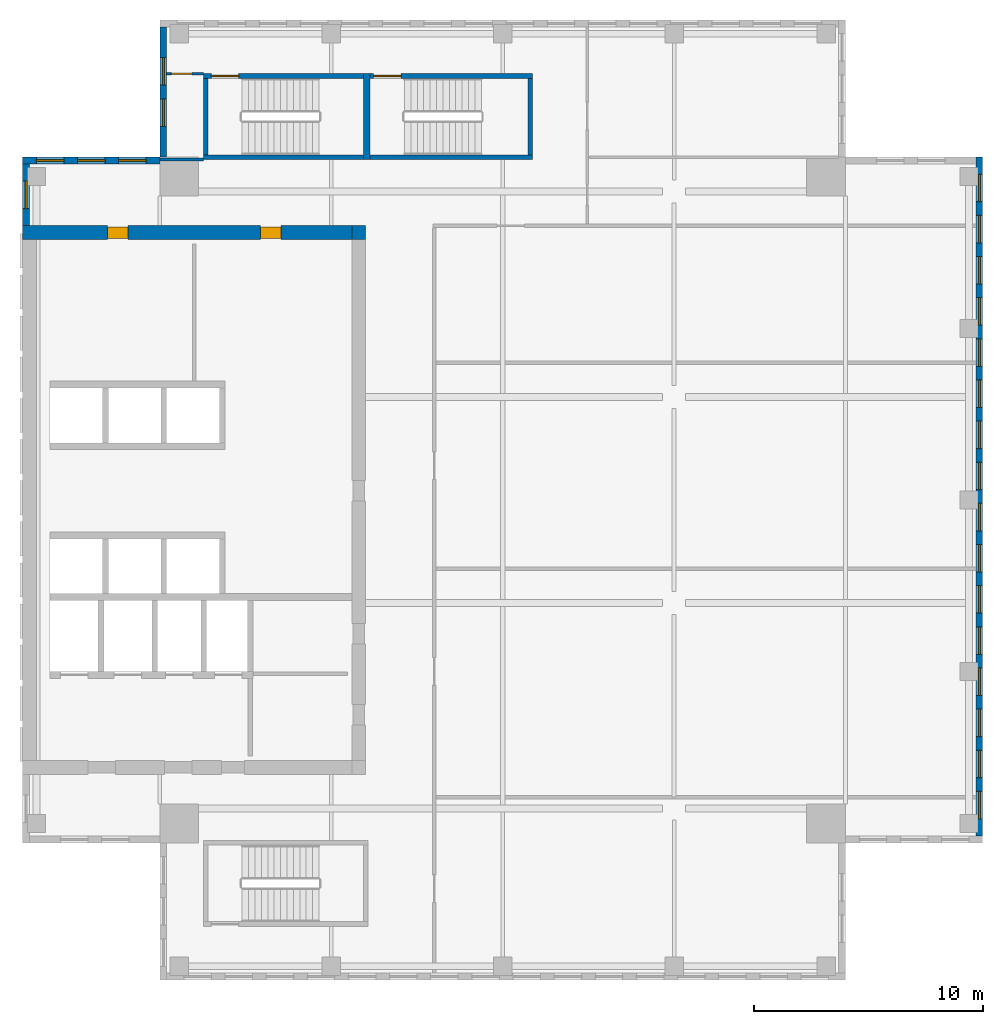
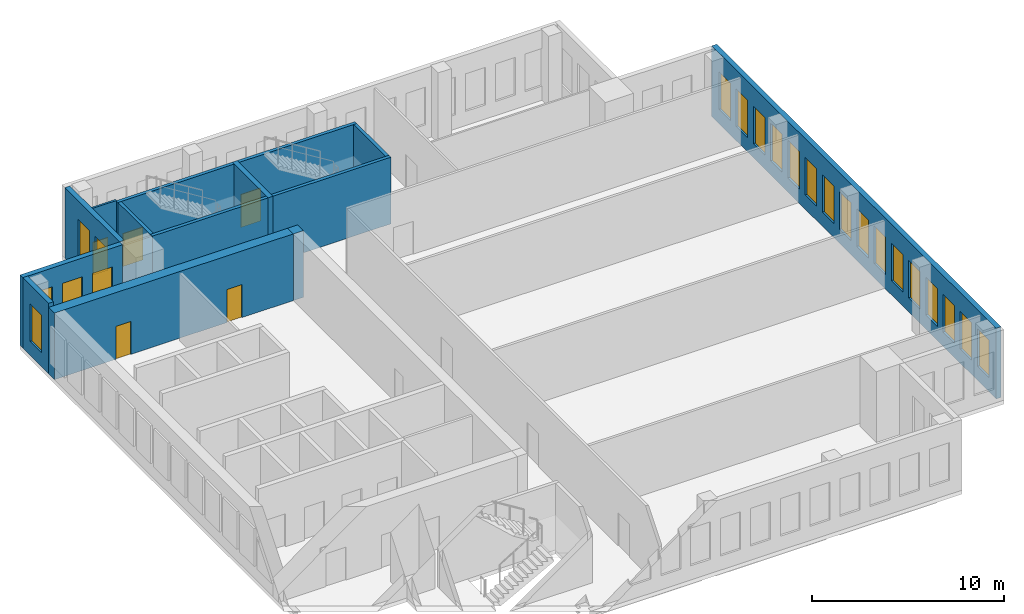
# One storey, part 4 of 6: 22 windows, 15 walls, 5 doors, 27 openings.
"""IFC4 building model written with IfcOpenShell, lengths in metres."""

from ifc_helpers import new_model, si_unit, direction, frame, frame_2d, origin, place, context, subcontext, project, spatial, rectangle, extrude, source, transform, mapped, material, layer, layer_set, type_object, element, fill, save


model = new_model("IFC4")

# Units and contexts
model_context = context("Model", 3, precision=1e-05, world=origin(), true_north=direction((0.0, 1.0)))
body_context = subcontext(model_context, "Body", "Model", "MODEL_VIEW")
ifc_project = project(units=[si_unit("LENGTHUNIT", "METRE"), si_unit("AREAUNIT", "SQUARE_METRE"), si_unit("VOLUMEUNIT", "CUBIC_METRE"), si_unit("PLANEANGLEUNIT", "RADIAN"), si_unit("MASSUNIT", "GRAM", prefix="KILO")], contexts=[model_context])

# Site, building, storey
site_placement = place(None, origin())
site = spatial("IfcSite", under=ifc_project, at=site_placement, CompositionType="ELEMENT")
building_placement = place(site_placement, origin())
building = spatial("IfcBuilding", under=site, at=building_placement, Name="Khomas Fold Tower", CompositionType="ELEMENT")
storey_placement = place(building_placement, frame((0.0, 0.0, 330.199951171875)))
storey = spatial("IfcBuildingStorey", under=building, at=storey_placement, Name="C1", CompositionType="ELEMENT", Elevation=330.199951171875)

# Wall, openings, doors
ifc_material_1 = material(Name="Concrete C50/60", Category="concrete")
ifc_layer_1 = layer(ifc_material_1, 0.60009765625)
ifc_layer_set_1 = layer_set([ifc_layer_1], Name="Concrete C50/60")
wall_type_1 = type_object("IfcWallType", Name="Core wall 600", PredefinedType="SHEAR", material=ifc_layer_set_1)
shared_shape_1 = source(origin(), body_context, "Body", "SweptSolid", [
    extrude(rectangle(XDim=14.39990234375, YDim=0.60009765625, at=frame_2d((7.199951171875, 0.0))), origin(), (0.0, 0.0, 1.0), 4.25),
])
wall_1_placement = place(storey_placement, frame((6.0, 38.699951171875, 0.0), z_axis=(0.0, 0.0, 1.0), x_axis=(1.0, 0.0, 0.0)))
wall_1 = element("IfcWall", 1, at=wall_1_placement, inside=storey, type_object=wall_type_1, Name="Core wall CW-U-N-L63", PredefinedType="SHEAR", context=body_context, shape_type="MappedRepresentation", body=[
    mapped(shared_shape_1, transform((0.0, 0.0, 0.0))),
])
shared_shape_2 = source(origin(), body_context, "Body", "SweptSolid", [
    extrude(rectangle(XDim=0.89990234375, YDim=2.10009765625, at=frame_2d((0.449951171875, 1.050048828125))), frame((0.0, 0.31005859375, 0.0), z_axis=(0.0, -1.0, 0.0), x_axis=(1.0, 0.0, 0.0)), (0.0, 0.0, 1.0), 0.6201171875),
])
opening_1_placement = place(wall_1_placement, frame((3.699951171875, 0.0, 0.0)))
opening_1 = element("IfcOpeningElement", 2, at=opening_1_placement, cuts=wall_1, Name="Opening 0003", PredefinedType="OPENING", context=body_context, shape_type="MappedRepresentation", body=[
    mapped(shared_shape_2, transform((0.0, 0.0, 0.0))),
])
opening_2_placement = place(wall_1_placement, frame((10.39990234375, 0.0, 0.0)))
opening_2 = element("IfcOpeningElement", 3, at=opening_2_placement, cuts=wall_1, Name="Opening 0003", PredefinedType="OPENING", context=body_context, shape_type="MappedRepresentation", body=[
    mapped(shared_shape_2, transform((0.0, 0.0, 0.0))),
])
ifc_material_2 = material(Name="Steel door leaf", Category="steel")
door_type_1 = type_object("IfcDoorType", Name="Plant room door 900x2100 right-hand", OperationType="SINGLE_SWING_RIGHT", PredefinedType="DOOR", material=ifc_material_2)
shared_shape_3 = source(origin(), body_context, "Body", "SweptSolid", [
    extrude(rectangle(XDim=0.89990234375, YDim=2.10009765625, at=frame_2d((0.449951171875, 1.050048828125))), frame((0.0, 0.25, 0.0), z_axis=(0.0, -1.0, 0.0), x_axis=(1.0, 0.0, 0.0)), (0.0, 0.0, 1.0), 0.5),
])
door_1_placement = place(opening_1_placement, origin())
door_1 = element("IfcDoor", 4, at=door_1_placement, inside=storey, type_object=door_type_1, Name="Plant room door", OperationType="SINGLE_SWING_RIGHT", OverallHeight=2.10009765625, OverallWidth=0.89990234375, PredefinedType="DOOR", context=body_context, shape_type="MappedRepresentation", body=[
    mapped(shared_shape_3, transform((0.0, 0.0, 0.0))),
])
fill(opening_1, door_1)
door_2_placement = place(opening_2_placement, origin())
door_2 = element("IfcDoor", 5, at=door_2_placement, inside=storey, type_object=door_type_1, Name="Plant room door", OperationType="SINGLE_SWING_RIGHT", OverallHeight=2.10009765625, OverallWidth=0.89990234375, PredefinedType="DOOR", context=body_context, shape_type="MappedRepresentation", body=[
    mapped(shared_shape_3, transform((0.0, 0.0, 0.0))),
])
fill(opening_2, door_2)

# Wall
ifc_material_3 = material(Name="Concrete C50/60", Category="concrete")
ifc_layer_2 = layer(ifc_material_3, 0.60009765625)
ifc_layer_set_2 = layer_set([ifc_layer_2], Name="Concrete C50/60")
wall_type_2 = type_object("IfcWallType", Name="Core corner wall 600", PredefinedType="SHEAR", material=ifc_layer_set_2)
shared_shape_4 = source(origin(), body_context, "Body", "SweptSolid", [
    extrude(rectangle(XDim=0.60009765625, YDim=0.60009765625, at=frame_2d((0.300048828125, 0.0))), origin(), (0.0, 0.0, 1.0), 4.25),
])
wall_2_placement = place(storey_placement, frame((20.39990234375, 38.699951171875, 0.0), z_axis=(0.0, 0.0, 1.0), x_axis=(1.0, 0.0, 0.0)))
element("IfcWall", 6, at=wall_2_placement, inside=storey, type_object=wall_type_2, Name="Core wall CW-U-NE-L63", PredefinedType="SHEAR", context=body_context, shape_type="MappedRepresentation", body=[
    mapped(shared_shape_4, transform((0.0, 0.0, 0.0))),
])

# Wall, opening, door
ifc_material_4 = material(Name="Concrete C50/60", Category="concrete")
ifc_layer_3 = layer(ifc_material_4, 0.199951171875)
ifc_layer_set_3 = layer_set([ifc_layer_3], Name="Concrete C50/60")
wall_type_3 = type_object("IfcWallType", Name="Stair wall 200", PredefinedType="SHEAR", material=ifc_layer_set_3)
shared_shape_5 = source(origin(), body_context, "Body", "SweptSolid", [
    extrude(rectangle(XDim=7.0, YDim=0.199951171875, at=frame_2d((3.5, 0.0))), origin(), (0.0, 0.0, 1.0), 4.25),
])
wall_3_placement = place(storey_placement, frame((13.89990234375, 45.550048828125, 0.0), z_axis=(0.0, 0.0, 1.0), x_axis=(1.0, 0.0, 0.0)))
wall_3 = element("IfcWall", 7, at=wall_3_placement, inside=storey, type_object=wall_type_3, Name="Stair wall SW-ST1-N", PredefinedType="SHEAR", context=body_context, shape_type="MappedRepresentation", body=[
    mapped(shared_shape_5, transform((0.0, 0.0, 0.0))),
])
shared_shape_6 = source(origin(), body_context, "Body", "SweptSolid", [
    extrude(rectangle(XDim=1.199951171875, YDim=2.10009765625, at=frame_2d((0.60009765625, 1.050048828125))), frame((0.0, 0.10986328125, 0.0), z_axis=(0.0, -1.0, 0.0), x_axis=(1.0, 0.0, 0.0)), (0.0, 0.0, 1.0), 0.219970703125),
])
opening_3_placement = place(wall_3_placement, frame((0.35009765625, 0.0, 0.0)))
opening_3 = element("IfcOpeningElement", 8, at=opening_3_placement, cuts=wall_3, Name="Opening SD-ST1", PredefinedType="OPENING", context=body_context, shape_type="MappedRepresentation", body=[
    mapped(shared_shape_6, transform((0.0, 0.0, 0.0))),
])
ifc_material_5 = material(Name="Steel door leaf", Category="steel")
door_type_2 = type_object("IfcDoorType", Name="Stair door 1200x2100 left-hand", OperationType="SINGLE_SWING_LEFT", PredefinedType="DOOR", material=ifc_material_5)
shared_shape_7 = source(origin(), body_context, "Body", "SweptSolid", [
    extrude(rectangle(XDim=1.199951171875, YDim=2.10009765625, at=frame_2d((0.60009765625, 1.050048828125))), frame((0.0, 0.02490234375, 0.0), z_axis=(0.0, -1.0, 0.0), x_axis=(1.0, 0.0, 0.0)), (0.0, 0.0, 1.0), 0.050048828125),
])
door_3_placement = place(opening_3_placement, origin())
door_3 = element("IfcDoor", 9, at=door_3_placement, inside=storey, type_object=door_type_2, Name="Stair door", OperationType="SINGLE_SWING_LEFT", OverallHeight=2.10009765625, OverallWidth=1.199951171875, PredefinedType="DOOR", context=body_context, shape_type="MappedRepresentation", body=[
    mapped(shared_shape_7, transform((0.0, 0.0, 0.0))),
])
fill(opening_3, door_3)

# Wall
wall_4_placement = place(storey_placement, frame((13.89990234375, 42.0, 0.0), z_axis=(0.0, 0.0, 1.0), x_axis=(1.0, 0.0, 0.0)))
element("IfcWall", 10, at=wall_4_placement, inside=storey, type_object=wall_type_3, Name="Stair wall SW-ST1-S", PredefinedType="SHEAR", context=body_context, shape_type="MappedRepresentation", body=[
    mapped(shared_shape_5, transform((0.0, 0.0, 0.0))),
])

# Wall, opening, door
shared_shape_8 = source(origin(), body_context, "Body", "SweptSolid", [
    extrude(rectangle(XDim=7.10009765625, YDim=0.199951171875, at=frame_2d((3.550048828125, 0.0))), origin(), (0.0, 0.0, 1.0), 4.25),
])
wall_5_placement = place(storey_placement, frame((21.199951171875, 45.550048828125, 0.0), z_axis=(0.0, 0.0, 1.0), x_axis=(1.0, 0.0, 0.0)))
wall_5 = element("IfcWall", 11, at=wall_5_placement, inside=storey, type_object=wall_type_3, Name="Stair wall SW-ST3-N", PredefinedType="SHEAR", context=body_context, shape_type="MappedRepresentation", body=[
    mapped(shared_shape_8, transform((0.0, 0.0, 0.0))),
])
opening_4_placement = place(wall_5_placement, frame((0.14990234375, 0.0, 0.0)))
opening_4 = element("IfcOpeningElement", 12, at=opening_4_placement, cuts=wall_5, Name="Opening SD-ST3", PredefinedType="OPENING", context=body_context, shape_type="MappedRepresentation", body=[
    mapped(shared_shape_6, transform((0.0, 0.0, 0.0))),
])
door_4_placement = place(opening_4_placement, origin())
door_4 = element("IfcDoor", 13, at=door_4_placement, inside=storey, type_object=door_type_2, Name="Stair door", OperationType="SINGLE_SWING_LEFT", OverallHeight=2.10009765625, OverallWidth=1.199951171875, PredefinedType="DOOR", context=body_context, shape_type="MappedRepresentation", body=[
    mapped(shared_shape_7, transform((0.0, 0.0, 0.0))),
])
fill(opening_4, door_4)

# Walls
wall_6_placement = place(storey_placement, frame((21.199951171875, 42.0, 0.0), z_axis=(0.0, 0.0, 1.0), x_axis=(1.0, 0.0, 0.0)))
element("IfcWall", 14, at=wall_6_placement, inside=storey, type_object=wall_type_3, Name="Stair wall SW-ST3-S", PredefinedType="SHEAR", context=body_context, shape_type="MappedRepresentation", body=[
    mapped(shared_shape_8, transform((0.0, 0.0, 0.0))),
])
ifc_material_6 = material(Name="Concrete C50/60", Category="concrete")
ifc_layer_4 = layer(ifc_material_6, 0.300048828125)
ifc_layer_set_4 = layer_set([ifc_layer_4], Name="Concrete C50/60")
wall_type_4 = type_object("IfcWallType", Name="Stair wall 300", PredefinedType="SHEAR", material=ifc_layer_set_4)
shared_shape_9 = source(origin(), body_context, "Body", "SweptSolid", [
    extrude(rectangle(XDim=3.75, YDim=0.300048828125, at=frame_2d((1.875, 0.0))), origin(), (0.0, 0.0, 1.0), 4.25),
])
wall_7_placement = place(storey_placement, frame((21.050048828125, 41.89990234375, 0.0), z_axis=(0.0, 0.0, 1.0), x_axis=(0.0, 1.0, 0.0)))
element("IfcWall", 15, at=wall_7_placement, inside=storey, type_object=wall_type_4, Name="Stair wall SW-ST1-E", PredefinedType="SHEAR", context=body_context, shape_type="MappedRepresentation", body=[
    mapped(shared_shape_9, transform((0.0, 0.0, 0.0))),
])
shared_shape_10 = source(origin(), body_context, "Body", "SweptSolid", [
    extrude(rectangle(XDim=3.349853515625, YDim=0.199951171875, at=frame_2d((1.6748046875, 0.0))), origin(), (0.0, 0.0, 1.0), 4.25),
])
for number, where, z_axis, x_axis, name in (
    (16, (14.0, 42.10009765625, 0.0), (0.0, 0.0, 1.0), (0.0, 1.0, 0.0), "Stair wall SW-ST1-W"),
    (17, (28.199951171875, 42.10009765625, 0.0), (0.0, 0.0, 1.0), (0.0, 1.0, 0.0), "Stair wall SW-ST3-E"),
):
    element("IfcWall", number, at=place(storey_placement, frame(where, z_axis=z_axis, x_axis=x_axis)), inside=storey, type_object=wall_type_3, Name=name, PredefinedType="SHEAR", context=body_context, shape_type="MappedRepresentation", body=[
        mapped(shared_shape_10, transform((0.0, 0.0, 0.0))),
    ])

# Wall, openings, windows
ifc_material_7 = material(Name="Concrete C40/50", Category="concrete")
ifc_layer_5 = layer(ifc_material_7, 0.300048828125)
ifc_layer_set_5 = layer_set([ifc_layer_5], Name="Concrete C40/50")
wall_type_5 = type_object("IfcWallType", Name="Crown gable wall 300 CR-GW1", PredefinedType="SOLIDWALL", material=ifc_layer_set_5)
shared_shape_11 = source(origin(), body_context, "Body", "SweptSolid", [
    extrude(rectangle(XDim=29.699951171875, YDim=0.300048828125, at=frame_2d((14.85009765625, 0.0))), origin(), (0.0, 0.0, 1.0), 4.5),
])
wall_8_placement = place(storey_placement, frame((47.85009765625, 12.300048828125, 0.0), z_axis=(0.0, 0.0, 1.0), x_axis=(0.0, 1.0, 0.0)))
wall_8 = element("IfcWall", 18, at=wall_8_placement, inside=storey, type_object=wall_type_5, Name="Crown wall", PredefinedType="SOLIDWALL", context=body_context, shape_type="MappedRepresentation", body=[
    mapped(shared_shape_11, transform((0.0, 0.0, 0.0))),
])
shared_shape_12 = source(origin(), body_context, "Body", "SweptSolid", [
    extrude(rectangle(XDim=1.199951171875, YDim=2.39990234375, at=frame_2d((0.60009765625, 1.199951171875))), frame((0.0, 0.159912109375, 0.0), z_axis=(0.0, -1.0, 0.0), x_axis=(1.0, 0.0, 0.0)), (0.0, 0.0, 1.0), 0.320068359375),
])
opening_5_placement = place(wall_8_placement, frame((0.75, 0.0, 0.89990234375)))
opening_5 = element("IfcOpeningElement", 19, at=opening_5_placement, cuts=wall_8, Name="Opening CR-LV", PredefinedType="OPENING", context=body_context, shape_type="MappedRepresentation", body=[
    mapped(shared_shape_12, transform((0.0, 0.0, 0.0))),
])
opening_6_placement = place(wall_8_placement, frame((2.550048828125, 0.0, 0.89990234375)))
opening_6 = element("IfcOpeningElement", 20, at=opening_6_placement, cuts=wall_8, Name="Opening CR-LV", PredefinedType="OPENING", context=body_context, shape_type="MappedRepresentation", body=[
    mapped(shared_shape_12, transform((0.0, 0.0, 0.0))),
])
opening_7_placement = place(wall_8_placement, frame((4.35009765625, 0.0, 0.89990234375)))
opening_7 = element("IfcOpeningElement", 21, at=opening_7_placement, cuts=wall_8, Name="Opening CR-LV", PredefinedType="OPENING", context=body_context, shape_type="MappedRepresentation", body=[
    mapped(shared_shape_12, transform((0.0, 0.0, 0.0))),
])
opening_8_placement = place(wall_8_placement, frame((6.14990234375, 0.0, 0.89990234375)))
opening_8 = element("IfcOpeningElement", 22, at=opening_8_placement, cuts=wall_8, Name="Opening CR-LV", PredefinedType="OPENING", context=body_context, shape_type="MappedRepresentation", body=[
    mapped(shared_shape_12, transform((0.0, 0.0, 0.0))),
])
opening_9_placement = place(wall_8_placement, frame((7.949951171875, 0.0, 0.89990234375)))
opening_9 = element("IfcOpeningElement", 23, at=opening_9_placement, cuts=wall_8, Name="Opening CR-LV", PredefinedType="OPENING", context=body_context, shape_type="MappedRepresentation", body=[
    mapped(shared_shape_12, transform((0.0, 0.0, 0.0))),
])
opening_10_placement = place(wall_8_placement, frame((9.75, 0.0, 0.89990234375)))
opening_10 = element("IfcOpeningElement", 24, at=opening_10_placement, cuts=wall_8, Name="Opening CR-LV", PredefinedType="OPENING", context=body_context, shape_type="MappedRepresentation", body=[
    mapped(shared_shape_12, transform((0.0, 0.0, 0.0))),
])
opening_11_placement = place(wall_8_placement, frame((11.550048828125, 0.0, 0.89990234375)))
opening_11 = element("IfcOpeningElement", 25, at=opening_11_placement, cuts=wall_8, Name="Opening CR-LV", PredefinedType="OPENING", context=body_context, shape_type="MappedRepresentation", body=[
    mapped(shared_shape_12, transform((0.0, 0.0, 0.0))),
])
opening_12_placement = place(wall_8_placement, frame((13.35009765625, 0.0, 0.89990234375)))
opening_12 = element("IfcOpeningElement", 26, at=opening_12_placement, cuts=wall_8, Name="Opening CR-LV", PredefinedType="OPENING", context=body_context, shape_type="MappedRepresentation", body=[
    mapped(shared_shape_12, transform((0.0, 0.0, 0.0))),
])
opening_13_placement = place(wall_8_placement, frame((15.14990234375, 0.0, 0.89990234375)))
opening_13 = element("IfcOpeningElement", 27, at=opening_13_placement, cuts=wall_8, Name="Opening CR-LV", PredefinedType="OPENING", context=body_context, shape_type="MappedRepresentation", body=[
    mapped(shared_shape_12, transform((0.0, 0.0, 0.0))),
])
opening_14_placement = place(wall_8_placement, frame((16.949951171875, 0.0, 0.89990234375)))
opening_14 = element("IfcOpeningElement", 28, at=opening_14_placement, cuts=wall_8, Name="Opening CR-LV", PredefinedType="OPENING", context=body_context, shape_type="MappedRepresentation", body=[
    mapped(shared_shape_12, transform((0.0, 0.0, 0.0))),
])
opening_15_placement = place(wall_8_placement, frame((18.75, 0.0, 0.89990234375)))
opening_15 = element("IfcOpeningElement", 29, at=opening_15_placement, cuts=wall_8, Name="Opening CR-LV", PredefinedType="OPENING", context=body_context, shape_type="MappedRepresentation", body=[
    mapped(shared_shape_12, transform((0.0, 0.0, 0.0))),
])
opening_16_placement = place(wall_8_placement, frame((20.550048828125, 0.0, 0.89990234375)))
opening_16 = element("IfcOpeningElement", 30, at=opening_16_placement, cuts=wall_8, Name="Opening CR-LV", PredefinedType="OPENING", context=body_context, shape_type="MappedRepresentation", body=[
    mapped(shared_shape_12, transform((0.0, 0.0, 0.0))),
])
opening_17_placement = place(wall_8_placement, frame((22.35009765625, 0.0, 0.89990234375)))
opening_17 = element("IfcOpeningElement", 31, at=opening_17_placement, cuts=wall_8, Name="Opening CR-LV", PredefinedType="OPENING", context=body_context, shape_type="MappedRepresentation", body=[
    mapped(shared_shape_12, transform((0.0, 0.0, 0.0))),
])
opening_18_placement = place(wall_8_placement, frame((24.14990234375, 0.0, 0.89990234375)))
opening_18 = element("IfcOpeningElement", 32, at=opening_18_placement, cuts=wall_8, Name="Opening CR-LV", PredefinedType="OPENING", context=body_context, shape_type="MappedRepresentation", body=[
    mapped(shared_shape_12, transform((0.0, 0.0, 0.0))),
])
opening_19_placement = place(wall_8_placement, frame((25.949951171875, 0.0, 0.89990234375)))
opening_19 = element("IfcOpeningElement", 33, at=opening_19_placement, cuts=wall_8, Name="Opening CR-LV", PredefinedType="OPENING", context=body_context, shape_type="MappedRepresentation", body=[
    mapped(shared_shape_12, transform((0.0, 0.0, 0.0))),
])
opening_20_placement = place(wall_8_placement, frame((27.75, 0.0, 0.89990234375)))
opening_20 = element("IfcOpeningElement", 34, at=opening_20_placement, cuts=wall_8, Name="Opening CR-LV", PredefinedType="OPENING", context=body_context, shape_type="MappedRepresentation", body=[
    mapped(shared_shape_12, transform((0.0, 0.0, 0.0))),
])
ifc_material_8 = material(Name="Aluminium louvre", Category="aluminium")
window_type = type_object("IfcWindowType", Name="Crown plant louvre 1200 x 2400", PartitioningType="SINGLE_PANEL", PredefinedType="WINDOW", material=ifc_material_8)
shared_shape_13 = source(origin(), body_context, "Body", "SweptSolid", [
    extrude(rectangle(XDim=1.199951171875, YDim=2.39990234375, at=frame_2d((0.60009765625, 1.199951171875))), frame((0.0, 0.030029296875, 0.0), z_axis=(0.0, -1.0, 0.0), x_axis=(1.0, 0.0, 0.0)), (0.0, 0.0, 1.0), 0.06005859375),
])
window_1_placement = place(opening_5_placement, origin())
window_1 = element("IfcWindow", 35, at=window_1_placement, inside=storey, type_object=window_type, Name="Crown plant louvre", OverallHeight=2.39990234375, OverallWidth=1.199951171875, PartitioningType="SINGLE_PANEL", PredefinedType="WINDOW", context=body_context, shape_type="MappedRepresentation", body=[
    mapped(shared_shape_13, transform((0.0, 0.0, 0.0))),
])
fill(opening_5, window_1)
window_2_placement = place(opening_6_placement, origin())
window_2 = element("IfcWindow", 36, at=window_2_placement, inside=storey, type_object=window_type, Name="Crown plant louvre", OverallHeight=2.39990234375, OverallWidth=1.199951171875, PartitioningType="SINGLE_PANEL", PredefinedType="WINDOW", context=body_context, shape_type="MappedRepresentation", body=[
    mapped(shared_shape_13, transform((0.0, 0.0, 0.0))),
])
fill(opening_6, window_2)
window_3_placement = place(opening_7_placement, origin())
window_3 = element("IfcWindow", 37, at=window_3_placement, inside=storey, type_object=window_type, Name="Crown plant louvre", OverallHeight=2.39990234375, OverallWidth=1.199951171875, PartitioningType="SINGLE_PANEL", PredefinedType="WINDOW", context=body_context, shape_type="MappedRepresentation", body=[
    mapped(shared_shape_13, transform((0.0, 0.0, 0.0))),
])
fill(opening_7, window_3)
window_4_placement = place(opening_8_placement, origin())
window_4 = element("IfcWindow", 38, at=window_4_placement, inside=storey, type_object=window_type, Name="Crown plant louvre", OverallHeight=2.39990234375, OverallWidth=1.199951171875, PartitioningType="SINGLE_PANEL", PredefinedType="WINDOW", context=body_context, shape_type="MappedRepresentation", body=[
    mapped(shared_shape_13, transform((0.0, 0.0, 0.0))),
])
fill(opening_8, window_4)
window_5_placement = place(opening_9_placement, origin())
window_5 = element("IfcWindow", 39, at=window_5_placement, inside=storey, type_object=window_type, Name="Crown plant louvre", OverallHeight=2.39990234375, OverallWidth=1.199951171875, PartitioningType="SINGLE_PANEL", PredefinedType="WINDOW", context=body_context, shape_type="MappedRepresentation", body=[
    mapped(shared_shape_13, transform((0.0, 0.0, 0.0))),
])
fill(opening_9, window_5)
window_6_placement = place(opening_10_placement, origin())
window_6 = element("IfcWindow", 40, at=window_6_placement, inside=storey, type_object=window_type, Name="Crown plant louvre", OverallHeight=2.39990234375, OverallWidth=1.199951171875, PartitioningType="SINGLE_PANEL", PredefinedType="WINDOW", context=body_context, shape_type="MappedRepresentation", body=[
    mapped(shared_shape_13, transform((0.0, 0.0, 0.0))),
])
fill(opening_10, window_6)
window_7_placement = place(opening_11_placement, origin())
window_7 = element("IfcWindow", 41, at=window_7_placement, inside=storey, type_object=window_type, Name="Crown plant louvre", OverallHeight=2.39990234375, OverallWidth=1.199951171875, PartitioningType="SINGLE_PANEL", PredefinedType="WINDOW", context=body_context, shape_type="MappedRepresentation", body=[
    mapped(shared_shape_13, transform((0.0, 0.0, 0.0))),
])
fill(opening_11, window_7)
window_8_placement = place(opening_12_placement, origin())
window_8 = element("IfcWindow", 42, at=window_8_placement, inside=storey, type_object=window_type, Name="Crown plant louvre", OverallHeight=2.39990234375, OverallWidth=1.199951171875, PartitioningType="SINGLE_PANEL", PredefinedType="WINDOW", context=body_context, shape_type="MappedRepresentation", body=[
    mapped(shared_shape_13, transform((0.0, 0.0, 0.0))),
])
fill(opening_12, window_8)
window_9_placement = place(opening_13_placement, origin())
window_9 = element("IfcWindow", 43, at=window_9_placement, inside=storey, type_object=window_type, Name="Crown plant louvre", OverallHeight=2.39990234375, OverallWidth=1.199951171875, PartitioningType="SINGLE_PANEL", PredefinedType="WINDOW", context=body_context, shape_type="MappedRepresentation", body=[
    mapped(shared_shape_13, transform((0.0, 0.0, 0.0))),
])
fill(opening_13, window_9)
window_10_placement = place(opening_14_placement, origin())
window_10 = element("IfcWindow", 44, at=window_10_placement, inside=storey, type_object=window_type, Name="Crown plant louvre", OverallHeight=2.39990234375, OverallWidth=1.199951171875, PartitioningType="SINGLE_PANEL", PredefinedType="WINDOW", context=body_context, shape_type="MappedRepresentation", body=[
    mapped(shared_shape_13, transform((0.0, 0.0, 0.0))),
])
fill(opening_14, window_10)
window_11_placement = place(opening_15_placement, origin())
window_11 = element("IfcWindow", 45, at=window_11_placement, inside=storey, type_object=window_type, Name="Crown plant louvre", OverallHeight=2.39990234375, OverallWidth=1.199951171875, PartitioningType="SINGLE_PANEL", PredefinedType="WINDOW", context=body_context, shape_type="MappedRepresentation", body=[
    mapped(shared_shape_13, transform((0.0, 0.0, 0.0))),
])
fill(opening_15, window_11)
window_12_placement = place(opening_16_placement, origin())
window_12 = element("IfcWindow", 46, at=window_12_placement, inside=storey, type_object=window_type, Name="Crown plant louvre", OverallHeight=2.39990234375, OverallWidth=1.199951171875, PartitioningType="SINGLE_PANEL", PredefinedType="WINDOW", context=body_context, shape_type="MappedRepresentation", body=[
    mapped(shared_shape_13, transform((0.0, 0.0, 0.0))),
])
fill(opening_16, window_12)
window_13_placement = place(opening_17_placement, origin())
window_13 = element("IfcWindow", 47, at=window_13_placement, inside=storey, type_object=window_type, Name="Crown plant louvre", OverallHeight=2.39990234375, OverallWidth=1.199951171875, PartitioningType="SINGLE_PANEL", PredefinedType="WINDOW", context=body_context, shape_type="MappedRepresentation", body=[
    mapped(shared_shape_13, transform((0.0, 0.0, 0.0))),
])
fill(opening_17, window_13)
window_14_placement = place(opening_18_placement, origin())
window_14 = element("IfcWindow", 48, at=window_14_placement, inside=storey, type_object=window_type, Name="Crown plant louvre", OverallHeight=2.39990234375, OverallWidth=1.199951171875, PartitioningType="SINGLE_PANEL", PredefinedType="WINDOW", context=body_context, shape_type="MappedRepresentation", body=[
    mapped(shared_shape_13, transform((0.0, 0.0, 0.0))),
])
fill(opening_18, window_14)
window_15_placement = place(opening_19_placement, origin())
window_15 = element("IfcWindow", 49, at=window_15_placement, inside=storey, type_object=window_type, Name="Crown plant louvre", OverallHeight=2.39990234375, OverallWidth=1.199951171875, PartitioningType="SINGLE_PANEL", PredefinedType="WINDOW", context=body_context, shape_type="MappedRepresentation", body=[
    mapped(shared_shape_13, transform((0.0, 0.0, 0.0))),
])
fill(opening_19, window_15)
window_16_placement = place(opening_20_placement, origin())
window_16 = element("IfcWindow", 50, at=window_16_placement, inside=storey, type_object=window_type, Name="Crown plant louvre", OverallHeight=2.39990234375, OverallWidth=1.199951171875, PartitioningType="SINGLE_PANEL", PredefinedType="WINDOW", context=body_context, shape_type="MappedRepresentation", body=[
    mapped(shared_shape_13, transform((0.0, 0.0, 0.0))),
])
fill(opening_20, window_16)

shared_shape_14 = source(origin(), body_context, "Body", "SweptSolid", [
    extrude(rectangle(XDim=5.699951171875, YDim=0.300048828125, at=frame_2d((2.85009765625, 0.0))), origin(), (0.0, 0.0, 1.0), 4.5),
])
wall_9_placement = place(storey_placement, frame((12.14990234375, 47.699951171875, 0.0), z_axis=(0.0, 0.0, 1.0), x_axis=(0.0, -1.0, 0.0)))
wall_9 = element("IfcWall", 51, at=wall_9_placement, inside=storey, type_object=wall_type_5, Name="Crown wall", PredefinedType="SOLIDWALL", context=body_context, shape_type="MappedRepresentation", body=[
    mapped(shared_shape_14, transform((0.0, 0.0, 0.0))),
])
opening_21_placement = place(wall_9_placement, frame((1.35009765625, 0.0, 0.89990234375)))
opening_21 = element("IfcOpeningElement", 52, at=opening_21_placement, cuts=wall_9, Name="Opening CR-LV", PredefinedType="OPENING", context=body_context, shape_type="MappedRepresentation", body=[
    mapped(shared_shape_12, transform((0.0, 0.0, 0.0))),
])
opening_22_placement = place(wall_9_placement, frame((3.14990234375, 0.0, 0.89990234375)))
opening_22 = element("IfcOpeningElement", 53, at=opening_22_placement, cuts=wall_9, Name="Opening CR-LV", PredefinedType="OPENING", context=body_context, shape_type="MappedRepresentation", body=[
    mapped(shared_shape_12, transform((0.0, 0.0, 0.0))),
])
window_17_placement = place(opening_21_placement, origin())
window_17 = element("IfcWindow", 54, at=window_17_placement, inside=storey, type_object=window_type, Name="Crown plant louvre", OverallHeight=2.39990234375, OverallWidth=1.199951171875, PartitioningType="SINGLE_PANEL", PredefinedType="WINDOW", context=body_context, shape_type="MappedRepresentation", body=[
    mapped(shared_shape_13, transform((0.0, 0.0, 0.0))),
])
fill(opening_21, window_17)
window_18_placement = place(opening_22_placement, origin())
window_18 = element("IfcWindow", 55, at=window_18_placement, inside=storey, type_object=window_type, Name="Crown plant louvre", OverallHeight=2.39990234375, OverallWidth=1.199951171875, PartitioningType="SINGLE_PANEL", PredefinedType="WINDOW", context=body_context, shape_type="MappedRepresentation", body=[
    mapped(shared_shape_13, transform((0.0, 0.0, 0.0))),
])
fill(opening_22, window_18)

shared_shape_15 = source(origin(), body_context, "Body", "SweptSolid", [
    extrude(rectangle(XDim=6.0, YDim=0.300048828125, at=frame_2d((3.0, 0.0))), origin(), (0.0, 0.0, 1.0), 4.5),
])
wall_10_placement = place(storey_placement, frame((12.0, 41.85009765625, 0.0), z_axis=(0.0, 0.0, 1.0), x_axis=(-1.0, 0.0, 0.0)))
wall_10 = element("IfcWall", 56, at=wall_10_placement, inside=storey, type_object=wall_type_5, Name="Crown wall", PredefinedType="SOLIDWALL", context=body_context, shape_type="MappedRepresentation", body=[
    mapped(shared_shape_15, transform((0.0, 0.0, 0.0))),
])
opening_23_placement = place(wall_10_placement, frame((0.60009765625, 0.0, 0.89990234375)))
opening_23 = element("IfcOpeningElement", 57, at=opening_23_placement, cuts=wall_10, Name="Opening CR-LV", PredefinedType="OPENING", context=body_context, shape_type="MappedRepresentation", body=[
    mapped(shared_shape_12, transform((0.0, 0.0, 0.0))),
])
opening_24_placement = place(wall_10_placement, frame((2.39990234375, 0.0, 0.89990234375)))
opening_24 = element("IfcOpeningElement", 58, at=opening_24_placement, cuts=wall_10, Name="Opening CR-LV", PredefinedType="OPENING", context=body_context, shape_type="MappedRepresentation", body=[
    mapped(shared_shape_12, transform((0.0, 0.0, 0.0))),
])
opening_25_placement = place(wall_10_placement, frame((4.199951171875, 0.0, 0.89990234375)))
opening_25 = element("IfcOpeningElement", 59, at=opening_25_placement, cuts=wall_10, Name="Opening CR-LV", PredefinedType="OPENING", context=body_context, shape_type="MappedRepresentation", body=[
    mapped(shared_shape_12, transform((0.0, 0.0, 0.0))),
])
window_19_placement = place(opening_23_placement, origin())
window_19 = element("IfcWindow", 60, at=window_19_placement, inside=storey, type_object=window_type, Name="Crown plant louvre", OverallHeight=2.39990234375, OverallWidth=1.199951171875, PartitioningType="SINGLE_PANEL", PredefinedType="WINDOW", context=body_context, shape_type="MappedRepresentation", body=[
    mapped(shared_shape_13, transform((0.0, 0.0, 0.0))),
])
fill(opening_23, window_19)
window_20_placement = place(opening_24_placement, origin())
window_20 = element("IfcWindow", 61, at=window_20_placement, inside=storey, type_object=window_type, Name="Crown plant louvre", OverallHeight=2.39990234375, OverallWidth=1.199951171875, PartitioningType="SINGLE_PANEL", PredefinedType="WINDOW", context=body_context, shape_type="MappedRepresentation", body=[
    mapped(shared_shape_13, transform((0.0, 0.0, 0.0))),
])
fill(opening_24, window_20)
window_21_placement = place(opening_25_placement, origin())
window_21 = element("IfcWindow", 62, at=window_21_placement, inside=storey, type_object=window_type, Name="Crown plant louvre", OverallHeight=2.39990234375, OverallWidth=1.199951171875, PartitioningType="SINGLE_PANEL", PredefinedType="WINDOW", context=body_context, shape_type="MappedRepresentation", body=[
    mapped(shared_shape_13, transform((0.0, 0.0, 0.0))),
])
fill(opening_25, window_21)

# Wall, opening, window
shared_shape_16 = source(origin(), body_context, "Body", "SweptSolid", [
    extrude(rectangle(XDim=2.699951171875, YDim=0.300048828125, at=frame_2d((1.35009765625, 0.0))), origin(), (0.0, 0.0, 1.0), 4.5),
])
wall_11_placement = place(storey_placement, frame((6.14990234375, 41.699951171875, 0.0), z_axis=(0.0, 0.0, 1.0), x_axis=(0.0, -1.0, 0.0)))
wall_11 = element("IfcWall", 63, at=wall_11_placement, inside=storey, type_object=wall_type_5, Name="Crown wall", PredefinedType="SOLIDWALL", context=body_context, shape_type="MappedRepresentation", body=[
    mapped(shared_shape_16, transform((0.0, 0.0, 0.0))),
])
opening_26_placement = place(wall_11_placement, frame((0.75, 0.0, 0.89990234375)))
opening_26 = element("IfcOpeningElement", 64, at=opening_26_placement, cuts=wall_11, Name="Opening CR-LV", PredefinedType="OPENING", context=body_context, shape_type="MappedRepresentation", body=[
    mapped(shared_shape_12, transform((0.0, 0.0, 0.0))),
])
window_22_placement = place(opening_26_placement, origin())
window_22 = element("IfcWindow", 65, at=window_22_placement, inside=storey, type_object=window_type, Name="Crown plant louvre", OverallHeight=2.39990234375, OverallWidth=1.199951171875, PartitioningType="SINGLE_PANEL", PredefinedType="WINDOW", context=body_context, shape_type="MappedRepresentation", body=[
    mapped(shared_shape_13, transform((0.0, 0.0, 0.0))),
])
fill(opening_26, window_22)

# Wall
ifc_material_9 = material(Name="Plasterboard partition")
ifc_layer_6 = layer(ifc_material_9, 0.125)
ifc_layer_set_6 = layer_set([ifc_layer_6], Name="Plasterboard partition")
wall_type_6 = type_object("IfcWallType", Name="Partition PW2 125", PredefinedType="PARTITIONING", material=ifc_layer_set_6)
shared_shape_17 = source(origin(), body_context, "Body", "SweptSolid", [
    extrude(rectangle(XDim=1.89990234375, YDim=0.125, at=frame_2d((0.949951171875, 0.0))), origin(), (0.0, 0.0, 1.0), 4.300048828125),
])
wall_12_placement = place(storey_placement, frame((12.0, 41.89990234375, 0.0), z_axis=(0.0, 0.0, 1.0), x_axis=(1.0, 0.0, 0.0)))
element("IfcWall", 66, at=wall_12_placement, inside=storey, type_object=wall_type_6, Name="Partition", PredefinedType="PARTITIONING", context=body_context, shape_type="MappedRepresentation", body=[
    mapped(shared_shape_17, transform((0.0, 0.0, 0.0))),
])

# Wall, opening, door
shared_shape_18 = source(origin(), body_context, "Body", "SweptSolid", [
    extrude(rectangle(XDim=1.599853515625, YDim=0.125, at=frame_2d((0.7998046875, 0.0))), origin(), (0.0, 0.0, 1.0), 4.300048828125),
])
wall_13_placement = place(storey_placement, frame((12.300048828125, 45.64990234375, 0.0), z_axis=(0.0, 0.0, 1.0), x_axis=(1.0, 0.0, 0.0)))
wall_13 = element("IfcWall", 67, at=wall_13_placement, inside=storey, type_object=wall_type_6, Name="Partition", PredefinedType="PARTITIONING", context=body_context, shape_type="MappedRepresentation", body=[
    mapped(shared_shape_18, transform((0.0, 0.0, 0.0))),
])
shared_shape_19 = source(origin(), body_context, "Body", "SweptSolid", [
    extrude(rectangle(XDim=0.89990234375, YDim=2.10009765625, at=frame_2d((0.449951171875, 1.050048828125))), frame((0.0, 0.072509765625, 0.0), z_axis=(0.0, -1.0, 0.0), x_axis=(1.0, 0.0, 0.0)), (0.0, 0.0, 1.0), 0.14501953125),
])
opening_27_placement = place(wall_13_placement, frame((0.199951171875, 0.0, 0.0)))
opening_27 = element("IfcOpeningElement", 68, at=opening_27_placement, cuts=wall_13, Name="Opening 0007", PredefinedType="OPENING", context=body_context, shape_type="MappedRepresentation", body=[
    mapped(shared_shape_19, transform((0.0, 0.0, 0.0))),
])
ifc_material_10 = material(Name="Timber door leaf", Category="wood")
door_type_3 = type_object("IfcDoorType", Name="Door 900x2100 left-hand", OperationType="SINGLE_SWING_LEFT", PredefinedType="DOOR", material=ifc_material_10)
shared_shape_20 = source(origin(), body_context, "Body", "SweptSolid", [
    extrude(rectangle(XDim=0.89990234375, YDim=2.10009765625, at=frame_2d((0.449951171875, 1.050048828125))), frame((0.0, 0.02490234375, 0.0), z_axis=(0.0, -1.0, 0.0), x_axis=(1.0, 0.0, 0.0)), (0.0, 0.0, 1.0), 0.050048828125),
])
door_5_placement = place(opening_27_placement, origin())
door_5 = element("IfcDoor", 69, at=door_5_placement, inside=storey, type_object=door_type_3, Name="Door", OperationType="SINGLE_SWING_LEFT", OverallHeight=2.10009765625, OverallWidth=0.89990234375, PredefinedType="DOOR", context=body_context, shape_type="MappedRepresentation", body=[
    mapped(shared_shape_20, transform((0.0, 0.0, 0.0))),
])
fill(opening_27, door_5)

save(model, "model.ifc")
